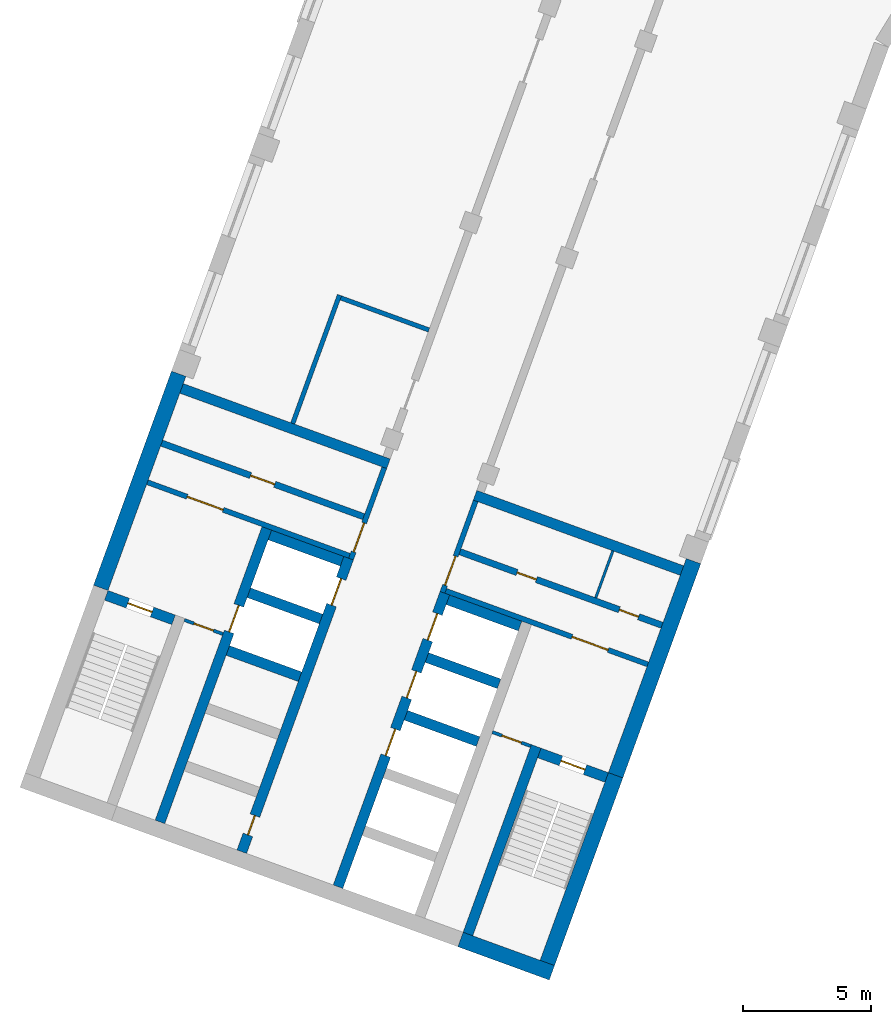
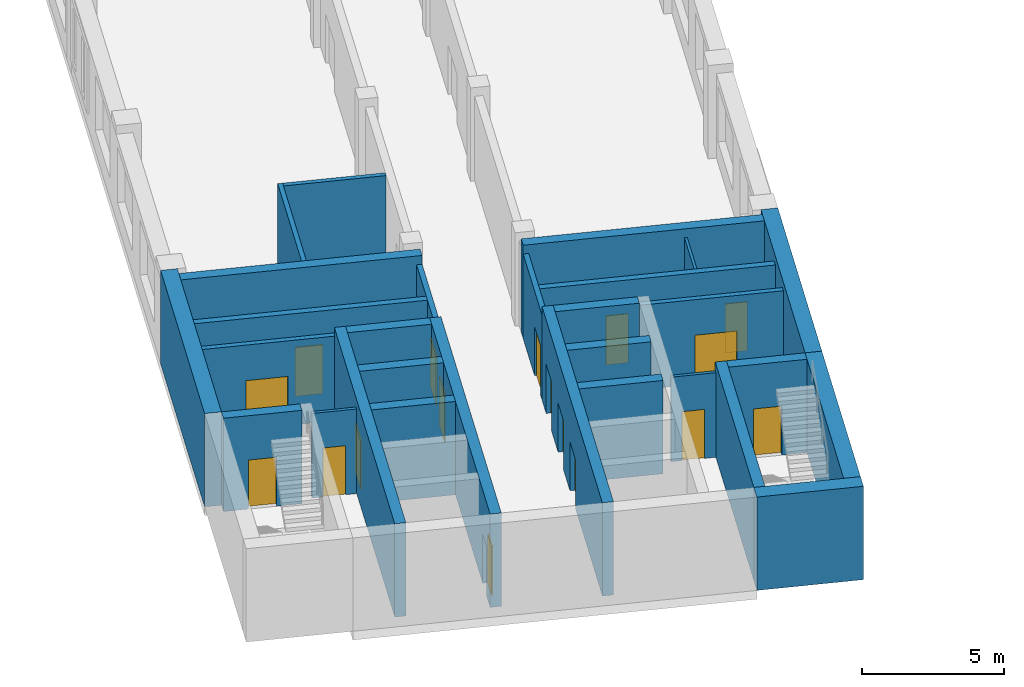
# One storey, part 2 of 12: 29 walls, 17 doors, 17 openings.
"""IFC4 building model written with IfcOpenShell, lengths in metres."""

from ifc_helpers import new_model, si_unit, direction, frame, frame_2d, origin, place, context, subcontext, project, spatial, rectangle, extrude, material, layer, layer_set, type_object, element, fill, save


model = new_model("IFC4")

# Units and contexts
model_context = context("Model", 3, precision=1e-05, world=origin(), true_north=direction((0.0, 1.0)))
body_context = subcontext(model_context, "Body", "Model", "MODEL_VIEW")
ifc_project = project(units=[si_unit("LENGTHUNIT", "METRE"), si_unit("AREAUNIT", "SQUARE_METRE"), si_unit("VOLUMEUNIT", "CUBIC_METRE"), si_unit("PLANEANGLEUNIT", "RADIAN"), si_unit("MASSUNIT", "GRAM", prefix="KILO")], contexts=[model_context])

# Site, building, storey
site_placement = place(None, origin())
site = spatial("IfcSite", under=ifc_project, at=site_placement, CompositionType="ELEMENT")
building_placement = place(site_placement, origin())
building = spatial("IfcBuilding", under=site, at=building_placement, Name="Skarvind Civic Tower", CompositionType="ELEMENT")
storey_placement = place(building_placement, frame((0.0, 0.0, 35.5)))
storey = spatial("IfcBuildingStorey", under=building, at=storey_placement, Name="L07", CompositionType="ELEMENT", Elevation=35.5)

# Walls
ifc_material_1 = material(Name="Acoustic gypsum board on steel studs", Category="steel")
ifc_layer_1 = layer(ifc_material_1, 0.175048828125)
ifc_layer_set_1 = layer_set([ifc_layer_1], Name="ACOUSTIC MEETING-ROOM PARTITION 175")
wall_type_1 = type_object("IfcWallType", Name="ACOUSTIC MEETING-ROOM PARTITION 175", PredefinedType="PARTITIONING", material=ifc_layer_set_1)
wall_1_placement = place(storey_placement, frame((29.216064453125, 98.990966796875, 0.0), z_axis=(0.0, 0.0, 1.0), x_axis=(0.342113991093, 0.939658457685, 0.0)))
element("IfcWall", 1, at=wall_1_placement, inside=storey, type_object=wall_type_1, Name="Partition 07.001", PredefinedType="PARTITIONING", context=body_context, shape_type="SweptSolid", body=[
    extrude(rectangle(XDim=5.337158203125, YDim=0.175048828125, at=frame_2d((2.66845703125, 0.0))), origin(), (0.0, 0.0, 1.0), 3.625),
])
wall_2_placement = place(storey_placement, frame((31.093994140625, 103.89404296875, 0.0), z_axis=(0.0, 0.0, 1.0), x_axis=(0.939676603928, -0.342064146075, 0.0)))
element("IfcWall", 2, at=wall_2_placement, inside=storey, type_object=wall_type_1, Name="Partition 07.002", PredefinedType="PARTITIONING", context=body_context, shape_type="SweptSolid", body=[
    extrude(rectangle(XDim=3.662841796875, YDim=0.175048828125, at=frame_2d((1.83154296875, 0.0))), origin(), (0.0, 0.0, 1.0), 3.625),
])

# Wall, opening, door
ifc_material_2 = material(Name="Fire-rated masonry partition", Category="masonry")
ifc_layer_2 = layer(ifc_material_2, 0.199951171875)
ifc_layer_set_2 = layer_set([ifc_layer_2], Name="Core enclosure wall 200")
wall_type_2 = type_object("IfcWallType", Name="Core enclosure wall 200", PredefinedType="PARTITIONING", material=ifc_layer_set_2)
wall_3_placement = place(storey_placement, frame((31.491455078125, 93.693359375, 0.0), z_axis=(0.0, 0.0, 1.0), x_axis=(0.341995824804, 0.939701471648, 0.0)))
wall_3 = element("IfcWall", 3, at=wall_3_placement, inside=storey, type_object=wall_type_2, Name="Core wall C2", PredefinedType="PARTITIONING", context=body_context, shape_type="SweptSolid", body=[
    extrude(rectangle(XDim=3.800048828125, YDim=0.199951171875, at=frame_2d((1.89990234375, 0.0))), origin(), (0.0, 0.0, 1.0), 3.625),
])
opening_1_placement = place(wall_3_placement, frame((0.300048828125, 0.0, 0.0)))
opening_1 = element("IfcOpeningElement", 4, at=opening_1_placement, cuts=wall_3, Name="Opening D-L07-C2-06", PredefinedType="OPENING", context=body_context, shape_type="SweptSolid", body=[
    extrude(rectangle(XDim=1.199951171875, YDim=2.10009765625, at=frame_2d((0.60009765625, 1.050048828125))), frame((0.0, 0.10986328125, 0.0), z_axis=(0.0, -1.0, 0.0), x_axis=(1.0, 0.0, 0.0)), (0.0, 0.0, 1.0), 0.219970703125),
])
ifc_material_3 = material(Name="Fire-rated steel door", Category="steel")
door_type_1 = type_object("IfcDoorType", Name="Core lobby door 1200", OperationType="NOTDEFINED", PredefinedType="DOOR", material=ifc_material_3)
door_1_placement = place(opening_1_placement, origin())
door_1 = element("IfcDoor", 5, at=door_1_placement, inside=storey, type_object=door_type_1, Name="Fire door", OperationType="DOUBLE_DOOR_SINGLE_SWING", OverallHeight=2.10009765625, OverallWidth=1.199951171875, PredefinedType="DOOR", context=body_context, shape_type="SweptSolid", body=[
    extrude(rectangle(XDim=1.199951171875, YDim=2.10009765625, at=frame_2d((0.60009765625, 1.050048828125))), frame((0.0, 0.02490234375, 0.0), z_axis=(0.0, -1.0, 0.0), x_axis=(1.0, 0.0, 0.0)), (0.0, 0.0, 1.0), 0.050048828125),
])
fill(opening_1, door_1)

wall_4_placement = place(storey_placement, frame((23.5380859375, 96.6943359375, 0.0), z_axis=(0.0, 0.0, 1.0), x_axis=(0.939691552312, -0.342023078919, 0.0)))
wall_4 = element("IfcWall", 6, at=wall_4_placement, inside=storey, type_object=wall_type_2, Name="Core wall C2", PredefinedType="PARTITIONING", context=body_context, shape_type="SweptSolid", body=[
    extrude(rectangle(XDim=8.400146484375, YDim=0.199951171875, at=frame_2d((4.2001953125, 0.0))), origin(), (0.0, 0.0, 1.0), 3.625),
])
opening_2_placement = place(wall_4_placement, frame((1.64990234375, 0.0, 0.0)))
opening_2 = element("IfcOpeningElement", 7, at=opening_2_placement, cuts=wall_4, Name="Opening D-L07-C2-07", PredefinedType="OPENING", context=body_context, shape_type="SweptSolid", body=[
    extrude(rectangle(XDim=1.5, YDim=2.10009765625, at=frame_2d((0.75, 1.050048828125))), frame((0.0, 0.10986328125, 0.0), z_axis=(0.0, -1.0, 0.0), x_axis=(1.0, 0.0, 0.0)), (0.0, 0.0, 1.0), 0.219970703125),
])
door_type_2 = type_object("IfcDoorType", Name="Fire door 1500", OperationType="NOTDEFINED", PredefinedType="DOOR", material=ifc_material_3)
door_2_placement = place(opening_2_placement, origin())
door_2 = element("IfcDoor", 8, at=door_2_placement, inside=storey, type_object=door_type_2, Name="Fire door", OperationType="DOUBLE_DOOR_SINGLE_SWING", OverallHeight=2.10009765625, OverallWidth=1.5, PredefinedType="DOOR", context=body_context, shape_type="SweptSolid", body=[
    extrude(rectangle(XDim=1.5, YDim=2.10009765625, at=frame_2d((0.75, 1.050048828125))), frame((0.0, 0.02490234375, 0.0), z_axis=(0.0, -1.0, 0.0), x_axis=(1.0, 0.0, 0.0)), (0.0, 0.0, 1.0), 0.050048828125),
])
fill(opening_2, door_2)

wall_5_placement = place(storey_placement, frame((36.36181640625, 95.96435546875, 0.0), z_axis=(0.0, 0.0, 1.0), x_axis=(-0.341995824804, -0.939701471648, 0.0)))
wall_5 = element("IfcWall", 9, at=wall_5_placement, inside=storey, type_object=wall_type_2, Name="Core wall C2", PredefinedType="PARTITIONING", context=body_context, shape_type="SweptSolid", body=[
    extrude(rectangle(XDim=3.800048828125, YDim=0.199951171875, at=frame_2d((1.89990234375, 0.0))), origin(), (0.0, 0.0, 1.0), 3.625),
])
opening_3_placement = place(wall_5_placement, frame((2.300048828125, 0.0, 0.0)))
opening_3 = element("IfcOpeningElement", 10, at=opening_3_placement, cuts=wall_5, Name="Opening D-L07-C2-11", PredefinedType="OPENING", context=body_context, shape_type="SweptSolid", body=[
    extrude(rectangle(XDim=1.199951171875, YDim=2.10009765625, at=frame_2d((0.60009765625, 1.050048828125))), frame((0.0, 0.10986328125, 0.0), z_axis=(0.0, -1.0, 0.0), x_axis=(1.0, 0.0, 0.0)), (0.0, 0.0, 1.0), 0.219970703125),
])
door_3_placement = place(opening_3_placement, origin())
door_3 = element("IfcDoor", 11, at=door_3_placement, inside=storey, type_object=door_type_1, Name="Fire door", OperationType="DOUBLE_DOOR_SINGLE_SWING", OverallHeight=2.10009765625, OverallWidth=1.199951171875, PredefinedType="DOOR", context=body_context, shape_type="SweptSolid", body=[
    extrude(rectangle(XDim=1.199951171875, YDim=2.10009765625, at=frame_2d((0.60009765625, 1.050048828125))), frame((0.0, 0.02490234375, 0.0), z_axis=(0.0, -1.0, 0.0), x_axis=(1.0, 0.0, 0.0)), (0.0, 0.0, 1.0), 0.050048828125),
])
fill(opening_3, door_3)

wall_6_placement = place(storey_placement, frame((35.1904296875, 92.453369140625, 0.0), z_axis=(0.0, 0.0, 1.0), x_axis=(0.939691552312, -0.342023078919, 0.0)))
wall_6 = element("IfcWall", 12, at=wall_6_placement, inside=storey, type_object=wall_type_2, Name="Core wall C2", PredefinedType="PARTITIONING", context=body_context, shape_type="SweptSolid", body=[
    extrude(rectangle(XDim=8.400146484375, YDim=0.199951171875, at=frame_2d((4.2001953125, 0.0))), origin(), (0.0, 0.0, 1.0), 3.625),
])
opening_4_placement = place(wall_6_placement, frame((5.25, 0.0, 0.0)))
opening_4 = element("IfcOpeningElement", 13, at=opening_4_placement, cuts=wall_6, Name="Opening D-L07-C2-12", PredefinedType="OPENING", context=body_context, shape_type="SweptSolid", body=[
    extrude(rectangle(XDim=1.5, YDim=2.10009765625, at=frame_2d((0.75, 1.050048828125))), frame((0.0, 0.10986328125, 0.0), z_axis=(0.0, -1.0, 0.0), x_axis=(1.0, 0.0, 0.0)), (0.0, 0.0, 1.0), 0.219970703125),
])
door_4_placement = place(opening_4_placement, origin())
door_4 = element("IfcDoor", 14, at=door_4_placement, inside=storey, type_object=door_type_2, Name="Fire door", OperationType="DOUBLE_DOOR_SINGLE_SWING", OverallHeight=2.10009765625, OverallWidth=1.5, PredefinedType="DOOR", context=body_context, shape_type="SweptSolid", body=[
    extrude(rectangle(XDim=1.5, YDim=2.10009765625, at=frame_2d((0.75, 1.050048828125))), frame((0.0, 0.02490234375, 0.0), z_axis=(0.0, -1.0, 0.0), x_axis=(1.0, 0.0, 0.0)), (0.0, 0.0, 1.0), 0.050048828125),
])
fill(opening_4, door_4)

# Walls
ifc_material_4 = material(Name="Fire-rated plasterboard partition")
ifc_layer_3 = layer(ifc_material_4, 0.10009765625)
ifc_layer_set_3 = layer_set([ifc_layer_3], Name="Core partition wall 100")
wall_type_3 = type_object("IfcWallType", Name="Core partition wall 100", PredefinedType="PARTITIONING", material=ifc_layer_set_3)
wall_7_placement = place(storey_placement, frame((41.71826171875, 94.014892578125, 0.0), z_axis=(0.0, 0.0, 1.0), x_axis=(-0.342064742067, -0.939676386973, 0.0)))
element("IfcWall", 15, at=wall_7_placement, inside=storey, type_object=wall_type_3, Name="Core wall C2", PredefinedType="PARTITIONING", context=body_context, shape_type="SweptSolid", body=[
    extrude(rectangle(XDim=1.949951171875, YDim=0.10009765625, at=frame_2d((0.97509765625, 0.0))), origin(), (0.0, 0.0, 1.0), 3.625),
])
ifc_material_5 = material(Name="Concrete C80", Category="concrete")
ifc_layer_4 = layer(ifc_material_5, 0.39990234375)
ifc_layer_set_4 = layer_set([ifc_layer_4], Name="Core wall 400 C80")
wall_type_4 = type_object("IfcWallType", Name="Core wall 400 C80", PredefinedType="SHEAR", material=ifc_layer_set_4)
wall_8_placement = place(storey_placement, frame((36.057861328125, 79.04833984375, 0.0), z_axis=(0.0, 0.0, 1.0), x_axis=(0.342016982193, 0.939693771338, 0.0)))
element("IfcWall", 16, at=wall_8_placement, inside=storey, type_object=wall_type_4, Name="Core wall C2 south stair inner L07", PredefinedType="SHEAR", context=body_context, shape_type="SweptSolid", body=[
    extrude(rectangle(XDim=7.800048828125, YDim=0.39990234375, at=frame_2d((3.89990234375, 0.0))), origin(), (0.0, 0.0, 1.0), 4.0),
])

# Wall, opening, door
wall_9_placement = place(storey_placement, frame((41.476318359375, 85.163818359375, 0.0), z_axis=(0.0, 0.0, 1.0), x_axis=(-0.939678810556, 0.342058084236, 0.0)))
wall_9 = element("IfcWall", 17, at=wall_9_placement, inside=storey, type_object=wall_type_4, Name="Core wall C2 south stair end L07", PredefinedType="SHEAR", context=body_context, shape_type="SweptSolid", body=[
    extrude(rectangle(XDim=2.800048828125, YDim=0.39990234375, at=frame_2d((1.39990234375, 0.0))), origin(), (0.0, 0.0, 1.0), 4.0),
])
opening_5_placement = place(wall_9_placement, frame((0.89990234375, 0.0, 0.0)))
opening_5 = element("IfcOpeningElement", 18, at=opening_5_placement, cuts=wall_9, Name="Opening D-L07-C2-13", PredefinedType="OPENING", context=body_context, shape_type="SweptSolid", body=[
    extrude(rectangle(XDim=1.0, YDim=2.10009765625, at=frame_2d((0.5, 1.050048828125))), frame((0.0, 0.2099609375, 0.0), z_axis=(0.0, -1.0, 0.0), x_axis=(1.0, 0.0, 0.0)), (0.0, 0.0, 1.0), 0.419921875),
])
door_type_3 = type_object("IfcDoorType", Name="Fire door 1000", OperationType="NOTDEFINED", PredefinedType="DOOR", material=ifc_material_3)
door_5_placement = place(opening_5_placement, origin())
door_5 = element("IfcDoor", 19, at=door_5_placement, inside=storey, type_object=door_type_3, Name="Fire door", OperationType="SINGLE_SWING_RIGHT", OverallHeight=2.10009765625, OverallWidth=1.0, PredefinedType="DOOR", context=body_context, shape_type="SweptSolid", body=[
    extrude(rectangle(XDim=1.0, YDim=2.10009765625, at=frame_2d((0.5, 1.050048828125))), frame((0.0, 0.02490234375, 0.0), z_axis=(0.0, -1.0, 0.0), x_axis=(1.0, 0.0, 0.0)), (0.0, 0.0, 1.0), 0.050048828125),
])
fill(opening_5, door_5)

wall_10_placement = place(storey_placement, frame((24.56201171875, 91.3203125, 0.0), z_axis=(0.0, 0.0, 1.0), x_axis=(-0.939717030584, 0.341953070509, 0.0)))
wall_10 = element("IfcWall", 20, at=wall_10_placement, inside=storey, type_object=wall_type_4, Name="Core wall C2 north stair end L07", PredefinedType="SHEAR", context=body_context, shape_type="SweptSolid", body=[
    extrude(rectangle(XDim=2.800048828125, YDim=0.39990234375, at=frame_2d((1.39990234375, 0.0))), origin(), (0.0, 0.0, 1.0), 4.0),
])
opening_6_placement = place(wall_10_placement, frame((0.89990234375, 0.0, 0.0)))
opening_6 = element("IfcOpeningElement", 21, at=opening_6_placement, cuts=wall_10, Name="Opening D-L07-C2-08", PredefinedType="OPENING", context=body_context, shape_type="SweptSolid", body=[
    extrude(rectangle(XDim=1.0, YDim=2.10009765625, at=frame_2d((0.5, 1.050048828125))), frame((0.0, 0.2099609375, 0.0), z_axis=(0.0, -1.0, 0.0), x_axis=(1.0, 0.0, 0.0)), (0.0, 0.0, 1.0), 0.419921875),
])
door_6_placement = place(opening_6_placement, origin())
door_6 = element("IfcDoor", 22, at=door_6_placement, inside=storey, type_object=door_type_3, Name="Fire door", OperationType="SINGLE_SWING_LEFT", OverallHeight=2.10009765625, OverallWidth=1.0, PredefinedType="DOOR", context=body_context, shape_type="SweptSolid", body=[
    extrude(rectangle(XDim=1.0, YDim=2.10009765625, at=frame_2d((0.5, 1.050048828125))), frame((0.0, 0.02490234375, 0.0), z_axis=(0.0, -1.0, 0.0), x_axis=(1.0, 0.0, 0.0)), (0.0, 0.0, 1.0), 0.050048828125),
])
fill(opening_6, door_6)

# Wall, openings, doors
wall_11_placement = place(storey_placement, frame((30.983642578125, 80.895263671875, 0.0), z_axis=(0.0, 0.0, 1.0), x_axis=(0.342021021735, 0.939692301071, 0.0)))
wall_11 = element("IfcWall", 23, at=wall_11_placement, inside=storey, type_object=wall_type_4, Name="Core wall C2 south lift row front L07", PredefinedType="SHEAR", context=body_context, shape_type="SweptSolid", body=[
    extrude(rectangle(XDim=12.199951171875, YDim=0.39990234375, at=frame_2d((6.10009765625, 0.0))), origin(), (0.0, 0.0, 1.0), 4.0),
])
opening_7_placement = place(wall_11_placement, frame((5.449951171875, 0.0, 0.0)))
opening_7 = element("IfcOpeningElement", 24, at=opening_7_placement, cuts=wall_11, Name="Opening LD09208", PredefinedType="OPENING", context=body_context, shape_type="SweptSolid", body=[
    extrude(rectangle(XDim=1.10009765625, YDim=2.10009765625, at=frame_2d((0.550048828125, 1.050048828125))), frame((0.0, 0.2099609375, 0.0), z_axis=(0.0, -1.0, 0.0), x_axis=(1.0, 0.0, 0.0)), (0.0, 0.0, 1.0), 0.419921875),
])
opening_8_placement = place(wall_11_placement, frame((7.85009765625, 0.0, 0.0)))
opening_8 = element("IfcOpeningElement", 25, at=opening_8_placement, cuts=wall_11, Name="Opening LD09209", PredefinedType="OPENING", context=body_context, shape_type="SweptSolid", body=[
    extrude(rectangle(XDim=1.10009765625, YDim=2.10009765625, at=frame_2d((0.550048828125, 1.050048828125))), frame((0.0, 0.2099609375, 0.0), z_axis=(0.0, -1.0, 0.0), x_axis=(1.0, 0.0, 0.0)), (0.0, 0.0, 1.0), 0.419921875),
])
opening_9_placement = place(wall_11_placement, frame((10.25, 0.0, 0.0)))
opening_9 = element("IfcOpeningElement", 26, at=opening_9_placement, cuts=wall_11, Name="Opening LD09210", PredefinedType="OPENING", context=body_context, shape_type="SweptSolid", body=[
    extrude(rectangle(XDim=1.10009765625, YDim=2.10009765625, at=frame_2d((0.550048828125, 1.050048828125))), frame((0.0, 0.2099609375, 0.0), z_axis=(0.0, -1.0, 0.0), x_axis=(1.0, 0.0, 0.0)), (0.0, 0.0, 1.0), 0.419921875),
])
ifc_material_6 = material(Name="Stainless steel landing door", Category="steel")
door_type_4 = type_object("IfcDoorType", Name="Lift landing door 1100", OperationType="DOUBLE_DOOR_SLIDING", PredefinedType="DOOR", material=ifc_material_6)
door_7_placement = place(opening_7_placement, origin())
door_7 = element("IfcDoor", 27, at=door_7_placement, inside=storey, type_object=door_type_4, Name="Lift landing door", OperationType="DOUBLE_DOOR_SLIDING", OverallHeight=2.10009765625, OverallWidth=1.10009765625, PredefinedType="DOOR", context=body_context, shape_type="SweptSolid", body=[
    extrude(rectangle(XDim=1.10009765625, YDim=2.10009765625, at=frame_2d((0.550048828125, 1.050048828125))), frame((0.0, 0.02490234375, 0.0), z_axis=(0.0, -1.0, 0.0), x_axis=(1.0, 0.0, 0.0)), (0.0, 0.0, 1.0), 0.050048828125),
])
fill(opening_7, door_7)
door_8_placement = place(opening_8_placement, origin())
door_8 = element("IfcDoor", 28, at=door_8_placement, inside=storey, type_object=door_type_4, Name="Lift landing door", OperationType="DOUBLE_DOOR_SLIDING", OverallHeight=2.10009765625, OverallWidth=1.10009765625, PredefinedType="DOOR", context=body_context, shape_type="SweptSolid", body=[
    extrude(rectangle(XDim=1.10009765625, YDim=2.10009765625, at=frame_2d((0.550048828125, 1.050048828125))), frame((0.0, 0.02490234375, 0.0), z_axis=(0.0, -1.0, 0.0), x_axis=(1.0, 0.0, 0.0)), (0.0, 0.0, 1.0), 0.050048828125),
])
fill(opening_8, door_8)
door_9_placement = place(opening_9_placement, origin())
door_9 = element("IfcDoor", 29, at=door_9_placement, inside=storey, type_object=door_type_4, Name="Lift landing door", OperationType="DOUBLE_DOOR_SLIDING", OverallHeight=2.10009765625, OverallWidth=1.10009765625, PredefinedType="DOOR", context=body_context, shape_type="SweptSolid", body=[
    extrude(rectangle(XDim=1.10009765625, YDim=2.10009765625, at=frame_2d((0.550048828125, 1.050048828125))), frame((0.0, 0.02490234375, 0.0), z_axis=(0.0, -1.0, 0.0), x_axis=(1.0, 0.0, 0.0)), (0.0, 0.0, 1.0), 0.050048828125),
])
fill(opening_9, door_9)

# Walls
for number, where, z_axis, x_axis, name in (
    (30, (36.453125, 86.56640625, 0.0), (0.0, 0.0, 1.0), (-0.939686455819, 0.342037080957, 0.0), "Core wall C2 south lift row division 3 L07"),
    (31, (37.27392578125, 88.82177734375, 0.0), (0.0, 0.0, 1.0), (-0.939686455819, 0.342037080957, 0.0), "Core wall C2 south lift row division 4 L07"),
):
    element("IfcWall", number, at=place(storey_placement, frame(where, z_axis=z_axis, x_axis=x_axis)), inside=storey, type_object=wall_type_4, Name=name, PredefinedType="SHEAR", context=body_context, shape_type="SweptSolid", body=[
        extrude(rectangle(XDim=3.0, YDim=0.39990234375, at=frame_2d((1.5, 0.0))), origin(), (0.0, 0.0, 1.0), 4.0),
    ])
wall_12_placement = place(storey_placement, frame((38.0947265625, 91.076904296875, 0.0), z_axis=(0.0, 0.0, 1.0), x_axis=(-0.939676934218, 0.342063238742, 0.0)))
element("IfcWall", 32, at=wall_12_placement, inside=storey, type_object=wall_type_4, Name="Core wall C2 south lift row division 5 L07", PredefinedType="SHEAR", context=body_context, shape_type="SweptSolid", body=[
    extrude(rectangle(XDim=2.999755859375, YDim=0.39990234375, at=frame_2d((1.5, 0.0))), origin(), (0.0, 0.0, 1.0), 4.0),
])

# Wall, openings, doors
wall_13_placement = place(storey_placement, frame((27.224853515625, 82.26318359375, 0.0), z_axis=(0.0, 0.0, 1.0), x_axis=(0.342014590177, 0.939694641948, 0.0)))
wall_13 = element("IfcWall", 33, at=wall_13_placement, inside=storey, type_object=wall_type_4, Name="Core wall C2 north lift row front L07", PredefinedType="SHEAR", context=body_context, shape_type="SweptSolid", body=[
    extrude(rectangle(XDim=12.2001953125, YDim=0.39990234375, at=frame_2d((6.10009765625, 0.0))), origin(), (0.0, 0.0, 1.0), 4.0),
])
opening_10_placement = place(wall_13_placement, frame((10.25, 0.0, 0.0)))
opening_10 = element("IfcOpeningElement", 34, at=opening_10_placement, cuts=wall_13, Name="Opening LD09205", PredefinedType="OPENING", context=body_context, shape_type="SweptSolid", body=[
    extrude(rectangle(XDim=1.10009765625, YDim=2.10009765625, at=frame_2d((0.550048828125, 1.050048828125))), frame((0.0, 0.2099609375, 0.0), z_axis=(0.0, -1.0, 0.0), x_axis=(1.0, 0.0, 0.0)), (0.0, 0.0, 1.0), 0.419921875),
])
opening_11_placement = place(wall_13_placement, frame((0.699951171875, 0.0, 0.0)))
opening_11 = element("IfcOpeningElement", 35, at=opening_11_placement, cuts=wall_13, Name="Opening D-L07-C2-05", PredefinedType="OPENING", context=body_context, shape_type="SweptSolid", body=[
    extrude(rectangle(XDim=0.800048828125, YDim=2.10009765625, at=frame_2d((0.39990234375, 1.050048828125))), frame((0.0, 0.2099609375, 0.0), z_axis=(0.0, -1.0, 0.0), x_axis=(1.0, 0.0, 0.0)), (0.0, 0.0, 1.0), 0.419921875),
])
door_type_5 = type_object("IfcDoorType", Name="Core riser door 800", OperationType="NOTDEFINED", PredefinedType="DOOR", material=ifc_material_3)
door_10_placement = place(opening_11_placement, origin())
door_10 = element("IfcDoor", 36, at=door_10_placement, inside=storey, type_object=door_type_5, Name="Riser door", OperationType="SINGLE_SWING_LEFT", OverallHeight=2.10009765625, OverallWidth=0.800048828125, PredefinedType="DOOR", context=body_context, shape_type="SweptSolid", body=[
    extrude(rectangle(XDim=0.800048828125, YDim=2.10009765625, at=frame_2d((0.39990234375, 1.050048828125))), frame((0.0, 0.02490234375, 0.0), z_axis=(0.0, -1.0, 0.0), x_axis=(1.0, 0.0, 0.0)), (0.0, 0.0, 1.0), 0.050048828125),
])
fill(opening_11, door_10)
door_11_placement = place(opening_10_placement, origin())
door_11 = element("IfcDoor", 37, at=door_11_placement, inside=storey, type_object=door_type_4, Name="Lift landing door", OperationType="DOUBLE_DOOR_SLIDING", OverallHeight=2.10009765625, OverallWidth=1.10009765625, PredefinedType="DOOR", context=body_context, shape_type="SweptSolid", body=[
    extrude(rectangle(XDim=1.10009765625, YDim=2.10009765625, at=frame_2d((0.550048828125, 1.050048828125))), frame((0.0, 0.02490234375, 0.0), z_axis=(0.0, -1.0, 0.0), x_axis=(1.0, 0.0, 0.0)), (0.0, 0.0, 1.0), 0.050048828125),
])
fill(opening_10, door_11)

# Wall, opening, door
wall_14_placement = place(storey_placement, frame((24.02978515625, 83.426025390625, 0.0), z_axis=(0.0, 0.0, 1.0), x_axis=(0.342014590177, 0.939694641948, 0.0)))
wall_14 = element("IfcWall", 38, at=wall_14_placement, inside=storey, type_object=wall_type_4, Name="Core wall C2 north lift row back L07", PredefinedType="SHEAR", context=body_context, shape_type="SweptSolid", body=[
    extrude(rectangle(XDim=12.2001953125, YDim=0.39990234375, at=frame_2d((6.10009765625, 0.0))), origin(), (0.0, 0.0, 1.0), 4.0),
])
opening_12_placement = place(wall_14_placement, frame((7.89990234375, 0.0, 0.0)))
opening_12 = element("IfcOpeningElement", 39, at=opening_12_placement, cuts=wall_14, Name="Opening LD09204", PredefinedType="OPENING", context=body_context, shape_type="SweptSolid", body=[
    extrude(rectangle(XDim=1.10009765625, YDim=2.10009765625, at=frame_2d((0.550048828125, 1.050048828125))), frame((0.0, 0.2099609375, 0.0), z_axis=(0.0, -1.0, 0.0), x_axis=(1.0, 0.0, 0.0)), (0.0, 0.0, 1.0), 0.419921875),
])
door_12_placement = place(opening_12_placement, origin())
door_12 = element("IfcDoor", 40, at=door_12_placement, inside=storey, type_object=door_type_4, Name="Lift landing door", OperationType="DOUBLE_DOOR_SLIDING", OverallHeight=2.10009765625, OverallWidth=1.10009765625, PredefinedType="DOOR", context=body_context, shape_type="SweptSolid", body=[
    extrude(rectangle(XDim=1.10009765625, YDim=2.10009765625, at=frame_2d((0.550048828125, 1.050048828125))), frame((0.0, 0.02490234375, 0.0), z_axis=(0.0, -1.0, 0.0), x_axis=(1.0, 0.0, 0.0)), (0.0, 0.0, 1.0), 0.050048828125),
])
fill(opening_12, door_12)

# Walls
for number, where, z_axis, x_axis, name in (
    (41, (29.49951171875, 89.097412109375, 0.0), (0.0, 0.0, 1.0), (-0.939686455819, 0.342037080957, 0.0), "Core wall C2 north lift row division 3 L07"),
    (42, (30.3203125, 91.352783203125, 0.0), (0.0, 0.0, 1.0), (-0.939712609717, 0.341965219194, 0.0), "Core wall C2 north lift row division 4 L07"),
    (43, (31.14111328125, 93.60791015625, 0.0), (0.0, 0.0, 1.0), (-0.939686455819, 0.342037080957, 0.0), "Core wall C2 north lift row division 5 L07"),
):
    element("IfcWall", number, at=place(storey_placement, frame(where, z_axis=z_axis, x_axis=x_axis)), inside=storey, type_object=wall_type_4, Name=name, PredefinedType="SHEAR", context=body_context, shape_type="SweptSolid", body=[
        extrude(rectangle(XDim=3.0, YDim=0.39990234375, at=frame_2d((1.5, 0.0))), origin(), (0.0, 0.0, 1.0), 4.0),
    ])
for number, where, z_axis, x_axis, name in (
    (44, (44.417724609375, 93.2451171875, 0.0), (0.0, 0.0, 1.0), (-0.93969060187, 0.342025690201, 0.0), "Core wall C2 south inner face L07"),
    (45, (32.953369140625, 97.417724609375, 0.0), (0.0, 0.0, 1.0), (-0.93969060187, 0.342025690201, 0.0), "Core wall C2 north inner face L07"),
):
    element("IfcWall", number, at=place(storey_placement, frame(where, z_axis=z_axis, x_axis=x_axis)), inside=storey, type_object=wall_type_4, Name=name, PredefinedType="SHEAR", context=body_context, shape_type="SweptSolid", body=[
        extrude(rectangle(XDim=8.599853515625, YDim=0.39990234375, at=frame_2d((4.2998046875, 0.0))), origin(), (0.0, 0.0, 1.0), 4.0),
    ])
ifc_layer_5 = layer(ifc_material_5, 0.60009765625)
ifc_layer_set_5 = layer_set([ifc_layer_5], Name="Core wall 600 C80")
wall_type_5 = type_object("IfcWallType", Name="Core wall 600 C80", PredefinedType="SHEAR", material=ifc_layer_set_5)
wall_15_placement = place(storey_placement, frame((39.338134765625, 77.53515625, 0.0), z_axis=(0.0, 0.0, 1.0), x_axis=(-0.939701471648, 0.341995824804, 0.0)))
element("IfcWall", 46, at=wall_15_placement, inside=storey, type_object=wall_type_5, Name="Core wall C2 tip at the south stair L07", PredefinedType="SHEAR", context=body_context, shape_type="SweptSolid", body=[
    extrude(rectangle(XDim=3.800048828125, YDim=0.60009765625, at=frame_2d((1.89990234375, 0.0))), origin(), (0.0, 0.0, 1.0), 4.0),
])
wall_16_placement = place(storey_placement, frame((39.158935546875, 77.919677734375, 0.0), z_axis=(0.0, 0.0, 1.0), x_axis=(0.342016982193, 0.939693771338, 0.0)))
element("IfcWall", 47, at=wall_16_placement, inside=storey, type_object=wall_type_5, Name="Core wall C2 south side at the stair L07", PredefinedType="SHEAR", context=body_context, shape_type="SweptSolid", body=[
    extrude(rectangle(XDim=7.800048828125, YDim=0.60009765625, at=frame_2d((3.89990234375, 0.0))), origin(), (0.0, 0.0, 1.0), 4.0),
])
for number, where, z_axis, x_axis, name in (
    (48, (41.82666015625, 85.249267578125, 0.0), (0.0, 0.0, 1.0), (0.342016162452, 0.939694069696, 0.0), "Core wall C2 south side L07"),
    (49, (21.71728515625, 92.568359375, 0.0), (0.0, 0.0, 1.0), (0.342016162452, 0.939694069696, 0.0), "Core wall C2 north side L07"),
):
    element("IfcWall", number, at=place(storey_placement, frame(where, z_axis=z_axis, x_axis=x_axis)), inside=storey, type_object=wall_type_5, Name=name, PredefinedType="SHEAR", context=body_context, shape_type="SweptSolid", body=[
        extrude(rectangle(XDim=8.89990234375, YDim=0.60009765625, at=frame_2d((4.449951171875, 0.0))), origin(), (0.0, 0.0, 1.0), 4.0),
    ])

# Wall, opening, door
ifc_layer_6 = layer(ifc_material_2, 0.125)
ifc_layer_set_6 = layer_set([ifc_layer_6], Name="Riser wall 125")
wall_type_6 = type_object("IfcWallType", Name="Riser wall 125", PredefinedType="PARTITIONING", material=ifc_layer_set_6)
wall_17_placement = place(storey_placement, frame((24.98486328125, 91.3125, 0.0), z_axis=(0.0, 0.0, 1.0), x_axis=(0.939708740826, -0.341975850632, 0.0)))
wall_17 = element("IfcWall", 50, at=wall_17_placement, inside=storey, type_object=wall_type_6, Name="Core wall C2", PredefinedType="PARTITIONING", context=body_context, shape_type="SweptSolid", body=[
    extrude(rectangle(XDim=1.599853515625, YDim=0.125, at=frame_2d((0.7998046875, 0.0))), origin(), (0.0, 0.0, 1.0), 3.625),
])
opening_13_placement = place(wall_17_placement, frame((0.39990234375, 0.0, 0.0)))
opening_13 = element("IfcOpeningElement", 51, at=opening_13_placement, cuts=wall_17, Name="Opening D-L07-C2-09", PredefinedType="OPENING", context=body_context, shape_type="SweptSolid", body=[
    extrude(rectangle(XDim=0.800048828125, YDim=2.10009765625, at=frame_2d((0.39990234375, 1.050048828125))), frame((0.0, 0.072509765625, 0.0), z_axis=(0.0, -1.0, 0.0), x_axis=(1.0, 0.0, 0.0)), (0.0, 0.0, 1.0), 0.14501953125),
])
door_13_placement = place(opening_13_placement, origin())
door_13 = element("IfcDoor", 52, at=door_13_placement, inside=storey, type_object=door_type_5, Name="Riser door", OperationType="SINGLE_SWING_RIGHT", OverallHeight=2.10009765625, OverallWidth=0.800048828125, PredefinedType="DOOR", context=body_context, shape_type="SweptSolid", body=[
    extrude(rectangle(XDim=0.800048828125, YDim=2.10009765625, at=frame_2d((0.39990234375, 1.050048828125))), frame((0.0, 0.02490234375, 0.0), z_axis=(0.0, -1.0, 0.0), x_axis=(1.0, 0.0, 0.0)), (0.0, 0.0, 1.0), 0.050048828125),
])
fill(opening_13, door_13)

wall_18_placement = place(storey_placement, frame((37.012939453125, 86.934814453125, 0.0), z_axis=(0.0, 0.0, 1.0), x_axis=(0.939659694648, -0.342110593602, 0.0)))
wall_18 = element("IfcWall", 53, at=wall_18_placement, inside=storey, type_object=wall_type_6, Name="Core wall C2", PredefinedType="PARTITIONING", context=body_context, shape_type="SweptSolid", body=[
    extrude(rectangle(XDim=1.599853515625, YDim=0.125, at=frame_2d((0.7998046875, 0.0))), origin(), (0.0, 0.0, 1.0), 3.625),
])
opening_14_placement = place(wall_18_placement, frame((0.39990234375, 0.0, 0.0)))
opening_14 = element("IfcOpeningElement", 54, at=opening_14_placement, cuts=wall_18, Name="Opening D-L07-C2-14", PredefinedType="OPENING", context=body_context, shape_type="SweptSolid", body=[
    extrude(rectangle(XDim=0.800048828125, YDim=2.10009765625, at=frame_2d((0.39990234375, 1.050048828125))), frame((0.0, 0.072509765625, 0.0), z_axis=(0.0, -1.0, 0.0), x_axis=(1.0, 0.0, 0.0)), (0.0, 0.0, 1.0), 0.14501953125),
])
door_14_placement = place(opening_14_placement, origin())
door_14 = element("IfcDoor", 55, at=door_14_placement, inside=storey, type_object=door_type_5, Name="Riser door", OperationType="SINGLE_SWING_LEFT", OverallHeight=2.10009765625, OverallWidth=0.800048828125, PredefinedType="DOOR", context=body_context, shape_type="SweptSolid", body=[
    extrude(rectangle(XDim=0.800048828125, YDim=2.10009765625, at=frame_2d((0.39990234375, 1.050048828125))), frame((0.0, 0.02490234375, 0.0), z_axis=(0.0, -1.0, 0.0), x_axis=(1.0, 0.0, 0.0)), (0.0, 0.0, 1.0), 0.050048828125),
])
fill(opening_14, door_14)

ifc_layer_7 = layer(ifc_material_2, 0.25)
ifc_layer_set_7 = layer_set([ifc_layer_7], Name="Service block wall 250")
wall_type_7 = type_object("IfcWallType", Name="Service block wall 250", PredefinedType="PARTITIONING", material=ifc_layer_set_7)
wall_19_placement = place(storey_placement, frame((24.093994140625, 98.221435546875, 0.0), z_axis=(0.0, 0.0, 1.0), x_axis=(0.939691552312, -0.342023078919, 0.0)))
wall_19 = element("IfcWall", 56, at=wall_19_placement, inside=storey, type_object=wall_type_7, Name="Core wall C2", PredefinedType="PARTITIONING", context=body_context, shape_type="SweptSolid", body=[
    extrude(rectangle(XDim=8.400146484375, YDim=0.25, at=frame_2d((4.2001953125, 0.0))), origin(), (0.0, 0.0, 1.0), 3.625),
])
opening_15_placement = place(wall_19_placement, frame((3.699951171875, 0.0, 0.0)))
opening_15 = element("IfcOpeningElement", 57, at=opening_15_placement, cuts=wall_19, Name="Opening D-L07-C2-10", PredefinedType="OPENING", context=body_context, shape_type="SweptSolid", body=[
    extrude(rectangle(XDim=1.0, YDim=2.10009765625, at=frame_2d((0.5, 1.050048828125))), frame((0.0, 0.135009765625, 0.0), z_axis=(0.0, -1.0, 0.0), x_axis=(1.0, 0.0, 0.0)), (0.0, 0.0, 1.0), 0.27001953125),
])
door_15_placement = place(opening_15_placement, origin())
door_15 = element("IfcDoor", 58, at=door_15_placement, inside=storey, type_object=door_type_3, Name="Fire door", OperationType="SINGLE_SWING_LEFT", OverallHeight=2.10009765625, OverallWidth=1.0, PredefinedType="DOOR", context=body_context, shape_type="SweptSolid", body=[
    extrude(rectangle(XDim=1.0, YDim=2.10009765625, at=frame_2d((0.5, 1.050048828125))), frame((0.0, 0.02490234375, 0.0), z_axis=(0.0, -1.0, 0.0), x_axis=(1.0, 0.0, 0.0)), (0.0, 0.0, 1.0), 0.050048828125),
])
fill(opening_15, door_15)

# Wall, openings, doors
wall_20_placement = place(storey_placement, frame((35.74609375, 93.98046875, 0.0), z_axis=(0.0, 0.0, 1.0), x_axis=(0.939691552312, -0.342023078919, 0.0)))
wall_20 = element("IfcWall", 59, at=wall_20_placement, inside=storey, type_object=wall_type_7, Name="Core wall C2", PredefinedType="PARTITIONING", context=body_context, shape_type="SweptSolid", body=[
    extrude(rectangle(XDim=8.400146484375, YDim=0.25, at=frame_2d((4.2001953125, 0.0))), origin(), (0.0, 0.0, 1.0), 3.625),
])
opening_16_placement = place(wall_20_placement, frame((2.375, 0.0, 0.0)))
opening_16 = element("IfcOpeningElement", 60, at=opening_16_placement, cuts=wall_20, Name="Opening D-L07-C2-15", PredefinedType="OPENING", context=body_context, shape_type="SweptSolid", body=[
    extrude(rectangle(XDim=0.800048828125, YDim=2.10009765625, at=frame_2d((0.39990234375, 1.050048828125))), frame((0.0, 0.135009765625, 0.0), z_axis=(0.0, -1.0, 0.0), x_axis=(1.0, 0.0, 0.0)), (0.0, 0.0, 1.0), 0.27001953125),
])
opening_17_placement = place(wall_20_placement, frame((6.625, 0.0, 0.0)))
opening_17 = element("IfcOpeningElement", 61, at=opening_17_placement, cuts=wall_20, Name="Opening D-L07-C2-16", PredefinedType="OPENING", context=body_context, shape_type="SweptSolid", body=[
    extrude(rectangle(XDim=0.800048828125, YDim=2.10009765625, at=frame_2d((0.39990234375, 1.050048828125))), frame((0.0, 0.135009765625, 0.0), z_axis=(0.0, -1.0, 0.0), x_axis=(1.0, 0.0, 0.0)), (0.0, 0.0, 1.0), 0.27001953125),
])
door_16_placement = place(opening_16_placement, origin())
door_16 = element("IfcDoor", 62, at=door_16_placement, inside=storey, type_object=door_type_5, Name="Riser door", OperationType="SINGLE_SWING_RIGHT", OverallHeight=2.10009765625, OverallWidth=0.800048828125, PredefinedType="DOOR", context=body_context, shape_type="SweptSolid", body=[
    extrude(rectangle(XDim=0.800048828125, YDim=2.10009765625, at=frame_2d((0.39990234375, 1.050048828125))), frame((0.0, 0.02490234375, 0.0), z_axis=(0.0, -1.0, 0.0), x_axis=(1.0, 0.0, 0.0)), (0.0, 0.0, 1.0), 0.050048828125),
])
fill(opening_16, door_16)
door_17_placement = place(opening_17_placement, origin())
door_17 = element("IfcDoor", 63, at=door_17_placement, inside=storey, type_object=door_type_5, Name="Riser door", OperationType="SINGLE_SWING_LEFT", OverallHeight=2.10009765625, OverallWidth=0.800048828125, PredefinedType="DOOR", context=body_context, shape_type="SweptSolid", body=[
    extrude(rectangle(XDim=0.800048828125, YDim=2.10009765625, at=frame_2d((0.39990234375, 1.050048828125))), frame((0.0, 0.02490234375, 0.0), z_axis=(0.0, -1.0, 0.0), x_axis=(1.0, 0.0, 0.0)), (0.0, 0.0, 1.0), 0.050048828125),
])
fill(opening_17, door_17)

save(model, "model.ifc")
